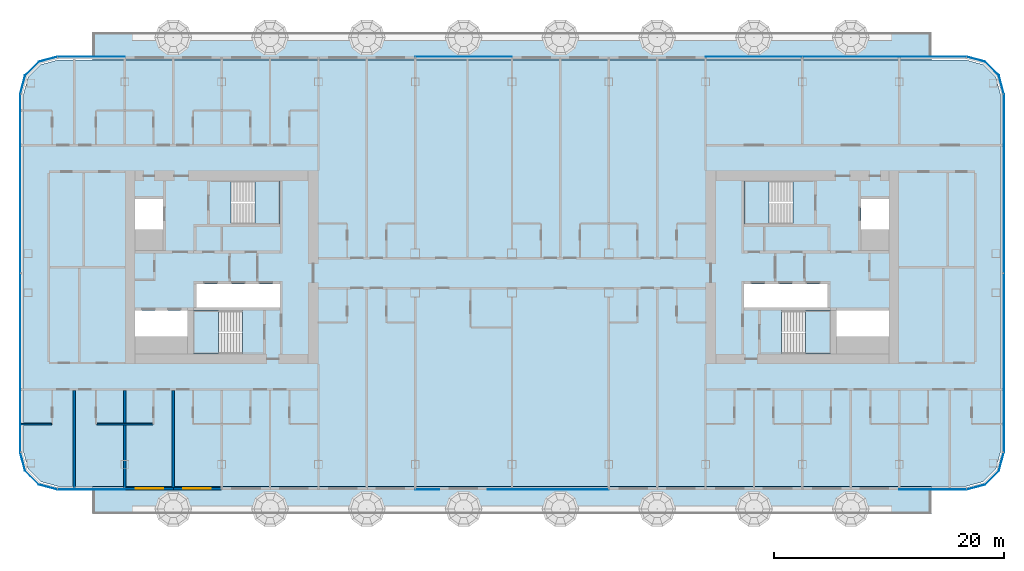
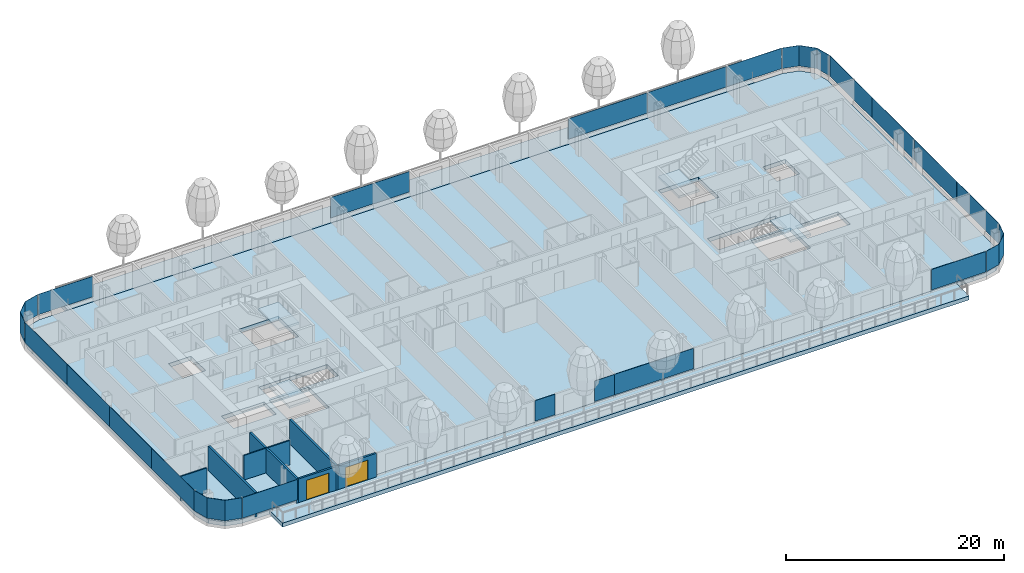
# One storey, part 11 of 32: 22 plates, 7 slabs, 7 walls, 2 doors, 2 openings, 12 elements without a shape of their own.
"""IFC4 building model written with IfcOpenShell, lengths in metres."""

from ifc_helpers import new_model, si_unit, direction, frame, frame_2d, origin, origin_2d, place, context, subcontext, project, spatial, polyline, rectangle, outline, extrude, material, layer, layer_set, type_object, element, fill, aggregate, save


model = new_model("IFC4")

# Units and contexts
model_context = context("Model", 3, precision=1e-05, world=origin(), true_north=direction((0.0, 1.0)))
body_context = subcontext(model_context, "Body", "Model", "MODEL_VIEW")
ifc_project = project(units=[si_unit("LENGTHUNIT", "METRE"), si_unit("AREAUNIT", "SQUARE_METRE"), si_unit("VOLUMEUNIT", "CUBIC_METRE"), si_unit("PLANEANGLEUNIT", "RADIAN"), si_unit("MASSUNIT", "GRAM", prefix="KILO")], contexts=[model_context])

# Site, building, storey
site_placement = place(None, origin())
site = spatial("IfcSite", under=ifc_project, at=site_placement, CompositionType="ELEMENT")
building_placement = place(site_placement, origin())
building = spatial("IfcBuilding", under=site, at=building_placement, Name="Hakoniwa Tower and Hamabe Station Hall", CompositionType="ELEMENT")
storey_placement = place(building_placement, frame((0.0, 0.0, 150.199951171875)))
storey = spatial("IfcBuildingStorey", under=building, at=storey_placement, Name="L42", CompositionType="ELEMENT", Elevation=150.199951171875)

# Slabs
ifc_material_1 = material(Name="Concrete C42", Category="concrete")
ifc_layer_1 = layer(ifc_material_1, 0.25)
ifc_layer_set_1 = layer_set([ifc_layer_1], Name="BALCONY SLAB 250")
slab_type_1 = type_object("IfcSlabType", Name="BALCONY SLAB 250", PredefinedType="FLOOR", material=ifc_layer_set_1)
slab_1_placement = place(storey_placement, frame((0.0, 0.0, -0.449951171875)))
element("IfcSlab", 1, at=slab_1_placement, inside=storey, type_object=slab_type_1, Name="Balcony slab L42 BAL-L42-N", PredefinedType="FLOOR", context=body_context, shape_type="SweptSolid", body=[
    extrude(outline(polyline([(-36.39990234375, 18.0), (36.39990234375, 18.0), (36.39990234375, 20.39990234375), (-36.39990234375, 20.39990234375), (-36.39990234375, 18.0)])), origin(), (0.0, 0.0, 1.0), 0.449951171875),
])
slab_2_placement = place(storey_placement, frame((0.0, 0.0, -0.449951171875)))
element("IfcSlab", 2, at=slab_2_placement, inside=storey, type_object=slab_type_1, Name="Balcony slab L42 BAL-L42-S", PredefinedType="FLOOR", context=body_context, shape_type="SweptSolid", body=[
    extrude(outline(polyline([(-36.39990234375, -21.39990234375), (36.39990234375, -21.39990234375), (36.39990234375, -19.0), (-36.39990234375, -19.0), (-36.39990234375, -21.39990234375)])), origin(), (0.0, 0.0, 1.0), 0.449951171875),
])

# Stair, slab
ifc_material_2 = material(Name="Concrete C40", Category="concrete")
stair_type = type_object("IfcStairType", Name="ESCAPE STAIR 1800", PredefinedType="HALF_TURN_STAIR", material=ifc_material_2)
stair_1_placement = place(storey_placement, origin())
stair_1 = element("IfcStair", 3, at=stair_1_placement, inside=storey, type_object=stair_type, Name="Escape stair ST-1 L42", PredefinedType="HALF_TURN_STAIR")
ifc_material_3 = material(Name="Concrete C40", Category="concrete")
ifc_layer_2 = layer(ifc_material_3, 0.25)
ifc_layer_set_2 = layer_set([ifc_layer_2], Name="CORE STAIR LANDING 250")
slab_type_2 = type_object("IfcSlabType", Name="CORE STAIR LANDING 250", PredefinedType="LANDING", material=ifc_layer_set_2)
slab_3_placement = place(storey_placement, frame((0.0, 0.0, 1.35009765625)))
slab_3 = element("IfcSlab", 4, at=slab_3_placement, type_object=slab_type_2, Name="ST-1 landing 1", PredefinedType="LANDING", context=body_context, shape_type="SweptSolid", body=[
    extrude(outline(polyline([(-22.320068359375, 3.75), (-20.14990234375, 3.75), (-20.14990234375, 7.5), (-22.320068359375, 7.5), (-22.320068359375, 3.75)])), origin(), (0.0, 0.0, 1.0), 0.25),
])
aggregate(stair_1, [slab_3])

stair_2_placement = place(storey_placement, origin())
stair_2 = element("IfcStair", 5, at=stair_2_placement, inside=storey, type_object=stair_type, Name="Escape stair ST-2 L42", PredefinedType="HALF_TURN_STAIR")
slab_4_placement = place(storey_placement, frame((0.0, 0.0, 1.35009765625)))
slab_4 = element("IfcSlab", 6, at=slab_4_placement, type_object=slab_type_2, Name="ST-2 landing 1", PredefinedType="LANDING", context=body_context, shape_type="SweptSolid", body=[
    extrude(outline(polyline([(-25.47998046875, -7.5), (-27.64990234375, -7.5), (-27.64990234375, -3.75), (-25.47998046875, -3.75), (-25.47998046875, -7.5)])), origin(), (0.0, 0.0, 1.0), 0.25),
])
aggregate(stair_2, [slab_4])

stair_3_placement = place(storey_placement, origin())
stair_3 = element("IfcStair", 7, at=stair_3_placement, inside=storey, type_object=stair_type, Name="Escape stair ST-3 L42", PredefinedType="HALF_TURN_STAIR")
slab_5_placement = place(storey_placement, frame((0.0, 0.0, 1.35009765625)))
slab_5 = element("IfcSlab", 8, at=slab_5_placement, type_object=slab_type_2, Name="ST-3 landing 1", PredefinedType="LANDING", context=body_context, shape_type="SweptSolid", body=[
    extrude(outline(polyline([(22.320068359375, 3.75), (20.14990234375, 3.75), (20.14990234375, 7.5), (22.320068359375, 7.5), (22.320068359375, 3.75)])), origin(), (0.0, 0.0, 1.0), 0.25),
])
aggregate(stair_3, [slab_5])

stair_4_placement = place(storey_placement, origin())
stair_4 = element("IfcStair", 9, at=stair_4_placement, inside=storey, type_object=stair_type, Name="Escape stair ST-4 L42", PredefinedType="HALF_TURN_STAIR")
slab_6_placement = place(storey_placement, frame((0.0, 0.0, 1.35009765625)))
slab_6 = element("IfcSlab", 10, at=slab_6_placement, type_object=slab_type_2, Name="ST-4 landing 1", PredefinedType="LANDING", context=body_context, shape_type="SweptSolid", body=[
    extrude(outline(polyline([(25.47998046875, -7.5), (27.64990234375, -7.5), (27.64990234375, -3.75), (25.47998046875, -3.75), (25.47998046875, -7.5)])), origin(), (0.0, 0.0, 1.0), 0.25),
])
aggregate(stair_4, [slab_6])

# Curtain wall, plates
ifc_material_4 = material(Name="Dark low-e laminated glass", Category="glass")
ifc_layer_3 = layer(ifc_material_4, 0.199951171875)
ifc_layer_set_3 = layer_set([ifc_layer_3], Name="CW-1 UNITISED GUEST")
curtain_wall_type = type_object("IfcCurtainWallType", Name="CW-1 UNITISED GUEST", PredefinedType="NOTDEFINED", material=ifc_layer_set_3)
curtain_wall_1_placement = place(storey_placement, origin())
curtain_wall_1 = element("IfcCurtainWall", 11, at=curtain_wall_1_placement, inside=storey, type_object=curtain_wall_type, Name="CW-1 curtain wall", PredefinedType="NOTDEFINED")
ifc_material_5 = material(Name="Dark low-e laminated glass", Category="glass")
ifc_layer_4 = layer(ifc_material_5, 0.028076171875)
ifc_layer_set_4 = layer_set([ifc_layer_4], Name="CW-1 GLASS UNIT")
plate_type = type_object("IfcPlateType", Name="CW-1 GLASS UNIT", PredefinedType="CURTAIN_PANEL", material=ifc_layer_set_4)
plate_1_placement = place(storey_placement, frame((42.68603515625, -12.154541015625, 0.35009765625), z_axis=(0.0, 0.0, 1.0), x_axis=(0.0, 1.0, 0.0)))
plate_1 = element("IfcPlate", 12, at=plate_1_placement, type_object=plate_type, Name="CW-1 glass unit", PredefinedType="CURTAIN_PANEL", context=body_context, shape_type="SweptSolid", body=[
    extrude(rectangle(XDim=7.749755859375, YDim=0.028076171875, at=origin_2d()), origin(), (0.0, 0.0, 1.0), 2.300048828125),
])
plate_2_placement = place(storey_placement, frame((42.68603515625, -4.384765625, 0.35009765625), z_axis=(0.0, 0.0, 1.0), x_axis=(0.0, 1.0, 0.0)))
plate_2 = element("IfcPlate", 13, at=plate_2_placement, type_object=plate_type, Name="CW-1 glass unit", PredefinedType="CURTAIN_PANEL", context=body_context, shape_type="SweptSolid", body=[
    extrude(rectangle(XDim=7.749755859375, YDim=0.028076171875, at=origin_2d()), origin(), (0.0, 0.0, 1.0), 2.300048828125),
])
plate_3_placement = place(storey_placement, frame((42.68603515625, 3.384765625, 0.35009765625), z_axis=(0.0, 0.0, 1.0), x_axis=(0.0, 1.0, 0.0)))
plate_3 = element("IfcPlate", 14, at=plate_3_placement, type_object=plate_type, Name="CW-1 glass unit", PredefinedType="CURTAIN_PANEL", context=body_context, shape_type="SweptSolid", body=[
    extrude(rectangle(XDim=7.749755859375, YDim=0.028076171875, at=origin_2d()), origin(), (0.0, 0.0, 1.0), 2.300048828125),
])
plate_4_placement = place(storey_placement, frame((42.68603515625, 11.154541015625, 0.35009765625), z_axis=(0.0, 0.0, 1.0), x_axis=(0.0, 1.0, 0.0)))
plate_4 = element("IfcPlate", 15, at=plate_4_placement, type_object=plate_type, Name="CW-1 glass unit", PredefinedType="CURTAIN_PANEL", context=body_context, shape_type="SweptSolid", body=[
    extrude(rectangle(XDim=7.749755859375, YDim=0.028076171875, at=origin_2d()), origin(), (0.0, 0.0, 1.0), 2.300048828125),
])
aggregate(curtain_wall_1, [plate_1, plate_2, plate_3, plate_4])

# Curtain wall, plate
curtain_wall_2_placement = place(storey_placement, origin())
curtain_wall_2 = element("IfcCurtainWall", 16, at=curtain_wall_2_placement, inside=storey, type_object=curtain_wall_type, Name="CW-1 curtain wall", PredefinedType="NOTDEFINED")
plate_5_placement = place(storey_placement, frame((0.0, 0.0, 0.35009765625)))
plate_5 = element("IfcPlate", 17, at=plate_5_placement, type_object=plate_type, Name="CW-1 curved corner unit", PredefinedType="CURTAIN_PANEL", context=body_context, shape_type="SweptSolid", body=[
    extrude(outline(polyline([(42.689697265625, 15.078125), (42.26708984375, 16.6552734375), (41.05517578125, 17.866943359375), (39.47802734375, 18.28955078125), (39.470947265625, 18.2626953125), (41.040771484375, 17.842041015625), (42.241943359375, 16.640869140625), (42.66259765625, 15.07080078125), (42.689697265625, 15.078125)])), origin(), (0.0, 0.0, 1.0), 2.300048828125),
])
aggregate(curtain_wall_2, [plate_5])

# Curtain wall, plates
curtain_wall_3_placement = place(storey_placement, origin())
curtain_wall_3 = element("IfcCurtainWall", 18, at=curtain_wall_3_placement, inside=storey, type_object=curtain_wall_type, Name="CW-1 curtain wall", PredefinedType="NOTDEFINED")
plate_6_placement = place(storey_placement, frame((36.519775390625, 18.285888671875, 0.35009765625), z_axis=(0.0, 0.0, 1.0), x_axis=(-1.0, 0.0, 0.0)))
plate_6 = element("IfcPlate", 19, at=plate_6_placement, type_object=plate_type, Name="CW-1 glass unit", PredefinedType="CURTAIN_PANEL", context=body_context, shape_type="SweptSolid", body=[
    extrude(rectangle(XDim=5.819580078125, YDim=0.028076171875, at=origin_2d()), origin(), (0.0, 0.0, 1.0), 2.300048828125),
])
plate_7_placement = place(storey_placement, frame((29.39990234375, 18.285888671875, 0.35009765625), z_axis=(0.0, 0.0, 1.0), x_axis=(-1.0, 0.0, 0.0)))
plate_7 = element("IfcPlate", 20, at=plate_7_placement, type_object=plate_type, Name="CW-1 glass unit", PredefinedType="CURTAIN_PANEL", context=body_context, shape_type="SweptSolid", body=[
    extrude(rectangle(XDim=8.3798828125, YDim=0.028076171875, at=origin_2d()), origin(), (0.0, 0.0, 1.0), 2.300048828125),
])
plate_8_placement = place(storey_placement, frame((21.0, 18.285888671875, 0.35009765625), z_axis=(0.0, 0.0, 1.0), x_axis=(-1.0, 0.0, 0.0)))
plate_8 = element("IfcPlate", 21, at=plate_8_placement, type_object=plate_type, Name="CW-1 glass unit", PredefinedType="CURTAIN_PANEL", context=body_context, shape_type="SweptSolid", body=[
    extrude(rectangle(XDim=8.3798828125, YDim=0.028076171875, at=origin_2d()), origin(), (0.0, 0.0, 1.0), 2.300048828125),
])
plate_9_placement = place(storey_placement, frame((-4.199951171875, 18.285888671875, 0.35009765625), z_axis=(0.0, 0.0, 1.0), x_axis=(-1.0, 0.0, 0.0)))
plate_9 = element("IfcPlate", 22, at=plate_9_placement, type_object=plate_type, Name="CW-1 glass unit", PredefinedType="CURTAIN_PANEL", context=body_context, shape_type="SweptSolid", body=[
    extrude(rectangle(XDim=8.3798828125, YDim=0.028076171875, at=origin_2d()), origin(), (0.0, 0.0, 1.0), 2.300048828125),
])
plate_10_placement = place(storey_placement, frame((-36.519775390625, 18.285888671875, 0.35009765625), z_axis=(0.0, 0.0, 1.0), x_axis=(-1.0, 0.0, 0.0)))
plate_10 = element("IfcPlate", 23, at=plate_10_placement, type_object=plate_type, Name="CW-1 glass unit", PredefinedType="CURTAIN_PANEL", context=body_context, shape_type="SweptSolid", body=[
    extrude(rectangle(XDim=5.819580078125, YDim=0.028076171875, at=origin_2d()), origin(), (0.0, 0.0, 1.0), 2.300048828125),
])
aggregate(curtain_wall_3, [plate_6, plate_7, plate_8, plate_9, plate_10])

# Curtain wall, plate
curtain_wall_4_placement = place(storey_placement, origin())
curtain_wall_4 = element("IfcCurtainWall", 24, at=curtain_wall_4_placement, inside=storey, type_object=curtain_wall_type, Name="CW-1 curtain wall", PredefinedType="NOTDEFINED")
plate_11_placement = place(storey_placement, frame((0.0, 0.0, 0.35009765625)))
plate_11 = element("IfcPlate", 25, at=plate_11_placement, type_object=plate_type, Name="CW-1 curved corner unit", PredefinedType="CURTAIN_PANEL", context=body_context, shape_type="SweptSolid", body=[
    extrude(outline(polyline([(-39.47802734375, 18.28955078125), (-41.05517578125, 17.866943359375), (-42.26708984375, 16.6552734375), (-42.689697265625, 15.078125), (-42.66259765625, 15.07080078125), (-42.241943359375, 16.640869140625), (-41.040771484375, 17.842041015625), (-39.470947265625, 18.2626953125), (-39.47802734375, 18.28955078125)])), origin(), (0.0, 0.0, 1.0), 2.300048828125),
])
aggregate(curtain_wall_4, [plate_11])

# Curtain wall, plates
curtain_wall_5_placement = place(storey_placement, origin())
curtain_wall_5 = element("IfcCurtainWall", 26, at=curtain_wall_5_placement, inside=storey, type_object=curtain_wall_type, Name="CW-1 curtain wall", PredefinedType="NOTDEFINED")
plate_12_placement = place(storey_placement, frame((-42.68603515625, 11.154541015625, 0.35009765625), z_axis=(0.0, 0.0, 1.0), x_axis=(0.0, -1.0, 0.0)))
plate_12 = element("IfcPlate", 27, at=plate_12_placement, type_object=plate_type, Name="CW-1 glass unit", PredefinedType="CURTAIN_PANEL", context=body_context, shape_type="SweptSolid", body=[
    extrude(rectangle(XDim=7.749755859375, YDim=0.028076171875, at=origin_2d()), origin(), (0.0, 0.0, 1.0), 2.300048828125),
])
plate_13_placement = place(storey_placement, frame((-42.68603515625, 3.384765625, 0.35009765625), z_axis=(0.0, 0.0, 1.0), x_axis=(0.0, -1.0, 0.0)))
plate_13 = element("IfcPlate", 28, at=plate_13_placement, type_object=plate_type, Name="CW-1 glass unit", PredefinedType="CURTAIN_PANEL", context=body_context, shape_type="SweptSolid", body=[
    extrude(rectangle(XDim=7.749755859375, YDim=0.028076171875, at=origin_2d()), origin(), (0.0, 0.0, 1.0), 2.300048828125),
])
plate_14_placement = place(storey_placement, frame((-42.68603515625, -4.384765625, 0.35009765625), z_axis=(0.0, 0.0, 1.0), x_axis=(0.0, -1.0, 0.0)))
plate_14 = element("IfcPlate", 29, at=plate_14_placement, type_object=plate_type, Name="CW-1 glass unit", PredefinedType="CURTAIN_PANEL", context=body_context, shape_type="SweptSolid", body=[
    extrude(rectangle(XDim=7.749755859375, YDim=0.028076171875, at=origin_2d()), origin(), (0.0, 0.0, 1.0), 2.300048828125),
])
plate_15_placement = place(storey_placement, frame((-42.68603515625, -12.154541015625, 0.35009765625), z_axis=(0.0, 0.0, 1.0), x_axis=(0.0, -1.0, 0.0)))
plate_15 = element("IfcPlate", 30, at=plate_15_placement, type_object=plate_type, Name="CW-1 glass unit", PredefinedType="CURTAIN_PANEL", context=body_context, shape_type="SweptSolid", body=[
    extrude(rectangle(XDim=7.749755859375, YDim=0.028076171875, at=origin_2d()), origin(), (0.0, 0.0, 1.0), 2.300048828125),
])
aggregate(curtain_wall_5, [plate_12, plate_13, plate_14, plate_15])

# Curtain wall, plate
curtain_wall_6_placement = place(storey_placement, origin())
curtain_wall_6 = element("IfcCurtainWall", 31, at=curtain_wall_6_placement, inside=storey, type_object=curtain_wall_type, Name="CW-1 curtain wall", PredefinedType="NOTDEFINED")
plate_16_placement = place(storey_placement, frame((0.0, 0.0, 0.35009765625)))
plate_16 = element("IfcPlate", 32, at=plate_16_placement, type_object=plate_type, Name="CW-1 curved corner unit", PredefinedType="CURTAIN_PANEL", context=body_context, shape_type="SweptSolid", body=[
    extrude(outline(polyline([(-42.689697265625, -16.078125), (-42.26708984375, -17.6552734375), (-41.05517578125, -18.866943359375), (-39.47802734375, -19.28955078125), (-39.470947265625, -19.2626953125), (-41.040771484375, -18.842041015625), (-42.241943359375, -17.640869140625), (-42.66259765625, -16.07080078125), (-42.689697265625, -16.078125)])), origin(), (0.0, 0.0, 1.0), 2.300048828125),
])
aggregate(curtain_wall_6, [plate_16])

# Curtain wall, plates
curtain_wall_7_placement = place(storey_placement, origin())
curtain_wall_7 = element("IfcCurtainWall", 33, at=curtain_wall_7_placement, inside=storey, type_object=curtain_wall_type, Name="CW-1 curtain wall", PredefinedType="NOTDEFINED")
plate_17_placement = place(storey_placement, frame((-36.519775390625, -19.285888671875, 0.35009765625), z_axis=(0.0, 0.0, 1.0), x_axis=(1.0, 0.0, 0.0)))
plate_17 = element("IfcPlate", 34, at=plate_17_placement, type_object=plate_type, Name="CW-1 glass unit", PredefinedType="CURTAIN_PANEL", context=body_context, shape_type="SweptSolid", body=[
    extrude(rectangle(XDim=5.819580078125, YDim=0.028076171875, at=origin_2d()), origin(), (0.0, 0.0, 1.0), 2.300048828125),
])
plate_18_placement = place(storey_placement, frame((-7.35009765625, -19.285888671875, 0.35009765625), z_axis=(0.0, 0.0, 1.0), x_axis=(1.0, 0.0, 0.0)))
plate_18 = element("IfcPlate", 35, at=plate_18_placement, type_object=plate_type, Name="CW-1 glass unit", PredefinedType="CURTAIN_PANEL", context=body_context, shape_type="SweptSolid", body=[
    extrude(rectangle(XDim=2.080078125, YDim=0.028076171875, at=origin_2d()), origin(), (0.0, 0.0, 1.0), 2.300048828125),
])
plate_19_placement = place(storey_placement, frame((-1.050048828125, -19.285888671875, 0.35009765625), z_axis=(0.0, 0.0, 1.0), x_axis=(1.0, 0.0, 0.0)))
plate_19 = element("IfcPlate", 36, at=plate_19_placement, type_object=plate_type, Name="CW-1 glass unit", PredefinedType="CURTAIN_PANEL", context=body_context, shape_type="SweptSolid", body=[
    extrude(rectangle(XDim=2.080078125, YDim=0.028076171875, at=origin_2d()), origin(), (0.0, 0.0, 1.0), 2.300048828125),
])
plate_20_placement = place(storey_placement, frame((4.199951171875, -19.285888671875, 0.35009765625), z_axis=(0.0, 0.0, 1.0), x_axis=(1.0, 0.0, 0.0)))
plate_20 = element("IfcPlate", 37, at=plate_20_placement, type_object=plate_type, Name="CW-1 glass unit", PredefinedType="CURTAIN_PANEL", context=body_context, shape_type="SweptSolid", body=[
    extrude(rectangle(XDim=8.3798828125, YDim=0.028076171875, at=origin_2d()), origin(), (0.0, 0.0, 1.0), 2.300048828125),
])
plate_21_placement = place(storey_placement, frame((36.519775390625, -19.285888671875, 0.35009765625), z_axis=(0.0, 0.0, 1.0), x_axis=(1.0, 0.0, 0.0)))
plate_21 = element("IfcPlate", 38, at=plate_21_placement, type_object=plate_type, Name="CW-1 glass unit", PredefinedType="CURTAIN_PANEL", context=body_context, shape_type="SweptSolid", body=[
    extrude(rectangle(XDim=5.819580078125, YDim=0.028076171875, at=origin_2d()), origin(), (0.0, 0.0, 1.0), 2.300048828125),
])

# Curtain wall, plate
curtain_wall_8_placement = place(storey_placement, origin())
curtain_wall_8 = element("IfcCurtainWall", 39, at=curtain_wall_8_placement, inside=storey, type_object=curtain_wall_type, Name="CW-1 curtain wall", PredefinedType="NOTDEFINED")
plate_22_placement = place(storey_placement, frame((0.0, 0.0, 0.35009765625)))
plate_22 = element("IfcPlate", 40, at=plate_22_placement, type_object=plate_type, Name="CW-1 curved corner unit", PredefinedType="CURTAIN_PANEL", context=body_context, shape_type="SweptSolid", body=[
    extrude(outline(polyline([(39.47802734375, -19.28955078125), (41.05517578125, -18.866943359375), (42.26708984375, -17.6552734375), (42.689697265625, -16.078125), (42.66259765625, -16.07080078125), (42.241943359375, -17.640869140625), (41.040771484375, -18.842041015625), (39.470947265625, -19.2626953125), (39.47802734375, -19.28955078125)])), origin(), (0.0, 0.0, 1.0), 2.300048828125),
])
aggregate(curtain_wall_8, [plate_22])

# Slab
ifc_material_6 = material(Name="Concrete C42", Category="concrete")
ifc_layer_5 = layer(ifc_material_6, 0.449951171875)
ifc_layer_set_5 = layer_set([ifc_layer_5], Name="PT FLAT PLATE 450")
slab_type_3 = type_object("IfcSlabType", Name="PT FLAT PLATE 450", PredefinedType="FLOOR", material=ifc_layer_set_5)
slab_7_placement = place(storey_placement, frame((0.0, 0.0, -0.449951171875)))
element("IfcSlab", 41, at=slab_7_placement, inside=storey, type_object=slab_type_3, Name="Floor slab L42", PredefinedType="FLOOR", context=body_context, shape_type="SweptSolid", body=[
    extrude(outline(polyline([(42.39990234375, -16.0), (42.39990234375, 15.0), (41.998046875, 16.5), (40.89990234375, 17.59814453125), (39.39990234375, 18.0), (-39.39990234375, 18.0), (-40.89990234375, 17.59814453125), (-41.998046875, 16.5), (-42.39990234375, 15.0), (-42.39990234375, -16.0), (-41.998046875, -17.5), (-40.89990234375, -18.59814453125), (-39.39990234375, -19.0), (39.39990234375, -19.0), (40.89990234375, -18.59814453125), (41.998046875, -17.5), (42.39990234375, -16.0)]), holes=[polyline([(-27.39990234375, -3.5), (-27.39990234375, -1.449951171875), (-20.14990234375, -1.449951171875), (-20.14990234375, -3.5), (-27.39990234375, -3.5)]), polyline([(-32.699951171875, 3.300048828125), (-32.699951171875, 5.949951171875), (-30.300048828125, 5.949951171875), (-30.300048828125, 3.300048828125), (-32.699951171875, 3.300048828125)]), polyline([(-32.699951171875, -6.0), (-32.699951171875, -3.75), (-28.14990234375, -3.75), (-28.14990234375, -6.0), (-32.699951171875, -6.0)]), polyline([(-24.389892578125, 3.75), (-24.389892578125, 7.5), (-20.14990234375, 7.5), (-20.14990234375, 3.75), (-24.389892578125, 3.75)]), polyline([(-27.64990234375, -7.5), (-27.64990234375, -3.75), (-23.409912109375, -3.75), (-23.409912109375, -7.5), (-27.64990234375, -7.5)]), polyline([(20.14990234375, -3.5), (20.14990234375, -1.449951171875), (27.39990234375, -1.449951171875), (27.39990234375, -3.5), (20.14990234375, -3.5)]), polyline([(30.300048828125, 3.300048828125), (30.300048828125, 5.949951171875), (32.699951171875, 5.949951171875), (32.699951171875, 3.300048828125), (30.300048828125, 3.300048828125)]), polyline([(28.14990234375, -6.0), (28.14990234375, -3.75), (32.699951171875, -3.75), (32.699951171875, -6.0), (28.14990234375, -6.0)]), polyline([(20.14990234375, 3.75), (20.14990234375, 7.5), (24.389892578125, 7.5), (24.389892578125, 3.75), (20.14990234375, 3.75)]), polyline([(23.409912109375, -7.5), (23.409912109375, -3.75), (27.64990234375, -3.75), (27.64990234375, -7.5), (23.409912109375, -7.5)])]), origin(), (0.0, 0.0, 1.0), 0.449951171875),
])

# Walls
ifc_material_7 = material(Name="Gypsum board partition", Category="gypsum")
ifc_layer_6 = layer(ifc_material_7, 0.125)
ifc_layer_set_6 = layer_set([ifc_layer_6], Name="Bathroom Partition 125")
wall_type_1 = type_object("IfcWallType", Name="Bathroom Partition 125", PredefinedType="PARTITIONING", material=ifc_layer_set_6)
wall_1_placement = place(storey_placement, frame((-42.699951171875, -13.60009765625, 0.0), z_axis=(0.0, 0.0, 1.0), x_axis=(1.0, 0.0, 0.0)))
element("IfcWall", 42, at=wall_1_placement, inside=storey, type_object=wall_type_1, Name="GW-L42-001", PredefinedType="PARTITIONING", context=body_context, shape_type="SweptSolid", body=[
    extrude(rectangle(XDim=2.737548828125, YDim=0.125, at=frame_2d((1.36865234375, 0.0))), origin(), (0.0, 0.0, 1.0), 2.75),
])
wall_2_placement = place(storey_placement, frame((-36.03759765625, -13.60009765625, 0.0), z_axis=(0.0, 0.0, 1.0), x_axis=(1.0, 0.0, 0.0)))
element("IfcWall", 43, at=wall_2_placement, inside=storey, type_object=wall_type_1, Name="GW-L42-002", PredefinedType="PARTITIONING", context=body_context, shape_type="SweptSolid", body=[
    extrude(rectangle(XDim=4.875, YDim=0.125, at=frame_2d((2.4375, 0.0))), origin(), (0.0, 0.0, 1.0), 2.75),
])

# Wall, opening, door
ifc_material_8 = material(Name="Dark glass-faced aluminium panel", Category="aluminium")
ifc_layer_7 = layer(ifc_material_8, 0.199951171875)
ifc_layer_set_7 = layer_set([ifc_layer_7], Name="DOOR BAY WALL")
wall_type_2 = type_object("IfcWallType", Name="DOOR BAY WALL", PredefinedType="NOTDEFINED", material=ifc_layer_set_7)
wall_3_placement = place(storey_placement, frame((-33.580078125, -19.199951171875, 0.0), z_axis=(0.0, 0.0, 1.0), x_axis=(1.0, 0.0, 0.0)))
wall_3 = element("IfcWall", 44, at=wall_3_placement, type_object=wall_type_2, Name="Door bay wall", PredefinedType="NOTDEFINED", context=body_context, shape_type="SweptSolid", body=[
    extrude(rectangle(XDim=4.219970703125, YDim=0.199951171875, at=frame_2d((2.10986328125, 0.0))), origin(), (0.0, 0.0, 1.0), 2.650146484375),
])
opening_1_placement = place(wall_3_placement, frame((0.909912109375, 0.0, 0.0)))
opening_1 = element("IfcOpeningElement", 45, at=opening_1_placement, cuts=wall_3, Name="Opening BD-S07-20", PredefinedType="OPENING", context=body_context, shape_type="SweptSolid", body=[
    extrude(rectangle(XDim=2.39990234375, YDim=2.199951171875, at=frame_2d((1.199951171875, 1.10009765625))), frame((0.0, 0.10986328125, 0.0), z_axis=(0.0, -1.0, 0.0), x_axis=(1.0, 0.0, 0.0)), (0.0, 0.0, 1.0), 0.219970703125),
])
ifc_material_9 = material(Name="Dark low-e laminated glass", Category="glass")
door_type = type_object("IfcDoorType", Name="BALCONY SLIDING DOOR 2400X2200", OperationType="SLIDING_TO_LEFT", PredefinedType="DOOR", material=ifc_material_9)
door_1_placement = place(opening_1_placement, frame((2.39990234375, 0.0, 0.0), z_axis=(0.0, 0.0, 1.0), x_axis=(-1.0, 0.0, 0.0)))
door_1 = element("IfcDoor", 46, at=door_1_placement, inside=storey, type_object=door_type, Name="Balcony sliding door", OperationType="SLIDING_TO_LEFT", OverallHeight=2.199951171875, OverallWidth=2.39990234375, PredefinedType="DOOR", context=body_context, shape_type="SweptSolid", body=[
    extrude(rectangle(XDim=2.39990234375, YDim=2.199951171875, at=frame_2d((1.199951171875, 1.10009765625))), frame((0.0, 0.02490234375, 0.0), z_axis=(0.0, -1.0, 0.0), x_axis=(1.0, 0.0, 0.0)), (0.0, 0.0, 1.0), 0.050048828125),
])
fill(opening_1, door_1)

wall_4_placement = place(storey_placement, frame((-29.43994140625, -19.199951171875, 0.0), z_axis=(0.0, 0.0, 1.0), x_axis=(1.0, 0.0, 0.0)))
wall_4 = element("IfcWall", 47, at=wall_4_placement, type_object=wall_type_2, Name="Door bay wall", PredefinedType="NOTDEFINED", context=body_context, shape_type="SweptSolid", body=[
    extrude(rectangle(XDim=4.219970703125, YDim=0.199951171875, at=frame_2d((2.10986328125, 0.0))), origin(), (0.0, 0.0, 1.0), 2.650146484375),
])
opening_2_placement = place(wall_4_placement, frame((0.909912109375, 0.0, 0.0)))
opening_2 = element("IfcOpeningElement", 48, at=opening_2_placement, cuts=wall_4, Name="Opening BD-S07-21", PredefinedType="OPENING", context=body_context, shape_type="SweptSolid", body=[
    extrude(rectangle(XDim=2.39990234375, YDim=2.199951171875, at=frame_2d((1.199951171875, 1.10009765625))), frame((0.0, 0.10986328125, 0.0), z_axis=(0.0, -1.0, 0.0), x_axis=(1.0, 0.0, 0.0)), (0.0, 0.0, 1.0), 0.219970703125),
])
door_2_placement = place(opening_2_placement, frame((2.39990234375, 0.0, 0.0), z_axis=(0.0, 0.0, 1.0), x_axis=(-1.0, 0.0, 0.0)))
door_2 = element("IfcDoor", 49, at=door_2_placement, inside=storey, type_object=door_type, Name="Balcony sliding door", OperationType="SLIDING_TO_LEFT", OverallHeight=2.199951171875, OverallWidth=2.39990234375, PredefinedType="DOOR", context=body_context, shape_type="SweptSolid", body=[
    extrude(rectangle(XDim=2.39990234375, YDim=2.199951171875, at=frame_2d((1.199951171875, 1.10009765625))), frame((0.0, 0.02490234375, 0.0), z_axis=(0.0, -1.0, 0.0), x_axis=(1.0, 0.0, 0.0)), (0.0, 0.0, 1.0), 0.050048828125),
])
fill(opening_2, door_2)

aggregate(curtain_wall_7, [plate_17, plate_18, plate_19, plate_20, plate_21, wall_3, wall_4])

# Walls
ifc_material_10 = material(Name="Fire-rated gypsum board partition", Category="gypsum")
ifc_layer_8 = layer(ifc_material_10, 0.199951171875)
ifc_layer_set_8 = layer_set([ifc_layer_8], Name="Party Wall 200")
wall_type_3 = type_object("IfcWallType", Name="Party Wall 200", PredefinedType="PARTITIONING", material=ifc_layer_set_8)
for number, where, z_axis, x_axis, name in (
    (50, (-38.0, -19.300048828125, 0.0), (0.0, 0.0, 1.0), (0.0, 1.0, 0.0), "GW-L42-038"),
    (51, (-33.60009765625, -19.300048828125, 0.0), (0.0, 0.0, 1.0), (0.0, 1.0, 0.0), "GW-L42-044"),
    (52, (-29.39990234375, -19.300048828125, 0.0), (0.0, 0.0, 1.0), (0.0, 1.0, 0.0), "GW-L42-048"),
):
    element("IfcWall", number, at=place(storey_placement, frame(where, z_axis=z_axis, x_axis=x_axis)), inside=storey, type_object=wall_type_3, Name=name, PredefinedType="PARTITIONING", context=body_context, shape_type="SweptSolid", body=[
        extrude(rectangle(XDim=8.60009765625, YDim=0.199951171875, at=frame_2d((4.300048828125, 0.0))), origin(), (0.0, 0.0, 1.0), 2.75),
    ])

save(model, "model.ifc")
